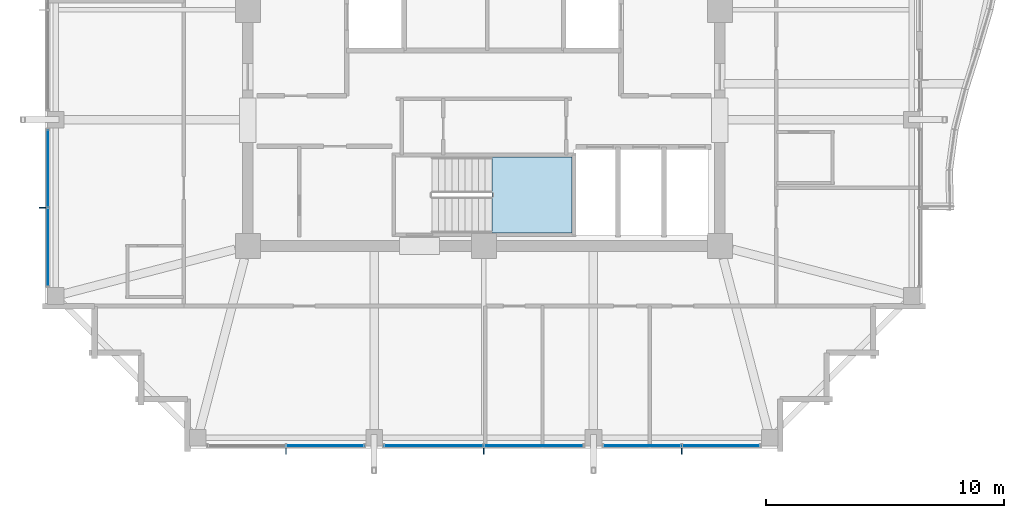
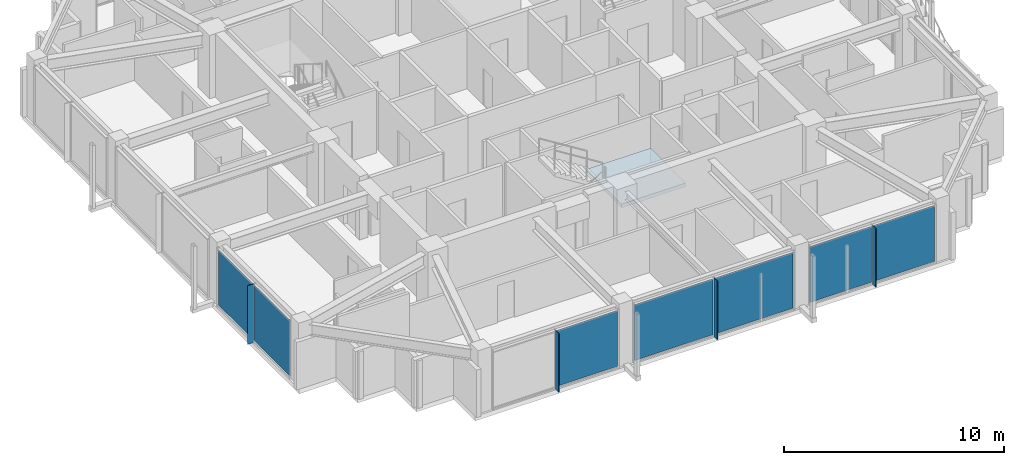
# One storey, part 19 of 29: 11 plates, 1 slab, 5 elements without a shape of their own.
"""IFC4 building model written with IfcOpenShell, lengths in metres."""

from ifc_helpers import new_model, si_unit, direction, frame, origin, origin_2d, place, context, subcontext, project, spatial, polyline, rectangle, outline, extrude, material, layer, layer_set, type_object, element, aggregate, save


model = new_model("IFC4")

# Units and contexts
model_context = context("Model", 3, precision=1e-05, world=origin(), true_north=direction((0.0, 1.0)))
body_context = subcontext(model_context, "Body", "Model", "MODEL_VIEW")
ifc_project = project(units=[si_unit("LENGTHUNIT", "METRE"), si_unit("AREAUNIT", "SQUARE_METRE"), si_unit("VOLUMEUNIT", "CUBIC_METRE"), si_unit("PLANEANGLEUNIT", "RADIAN"), si_unit("MASSUNIT", "GRAM", prefix="KILO")], contexts=[model_context])

# Site, building, storey
site_placement = place(None, origin())
site = spatial("IfcSite", under=ifc_project, at=site_placement, CompositionType="ELEMENT")
building_placement = place(site_placement, origin())
building = spatial("IfcBuilding", under=site, at=building_placement, Name="Kolvaren Belvedere", CompositionType="ELEMENT")
storey_placement = place(building_placement, frame((0.0, 0.0, 244.39990234375)))
storey = spatial("IfcBuildingStorey", under=building, at=storey_placement, Name="L71", CompositionType="ELEMENT", Elevation=244.39990234375)

# Curtain wall, plates
ifc_material_1 = material(Name="Anodised pale-metal aluminium AA 6063-T6", Category="aluminium")
curtain_wall_type = type_object("IfcCurtainWallType", Name="CW-Z5-HIGH", PredefinedType="NOTDEFINED", material=ifc_material_1)
curtain_wall_1_placement = place(storey_placement, origin())
curtain_wall_1 = element("IfcCurtainWall", 1, at=curtain_wall_1_placement, inside=storey, type_object=curtain_wall_type, Name="L71 Unitised Curtain Wall FCW-L71-S-B1", PredefinedType="NOTDEFINED")
ifc_material_2 = material(Name="Low-iron triple insulated glass", Category="glass")
ifc_layer_1 = layer(ifc_material_2, 0.028076171875)
ifc_layer_set_1 = layer_set([ifc_layer_1], Name="Low-iron triple insulated glass")
plate_type_1 = type_object("IfcPlateType", Name="CW-PNL-VIS28", PredefinedType="CURTAIN_PANEL", material=ifc_layer_set_1)
plate_1_placement = place(storey_placement, frame((9.947509765625, -18.280029296875, 0.080078125), z_axis=(0.0, 0.0, 1.0), x_axis=(-1.0, 0.0, 0.0)))
plate_1 = element("IfcPlate", 2, at=plate_1_placement, type_object=plate_type_1, Name="FCW-L71-S-B1 Vision Glazing Panel 1", PredefinedType="CURTAIN_PANEL", context=body_context, shape_type="SweptSolid", body=[
    extrude(rectangle(XDim=3.215087890625, YDim=0.028076171875, at=origin_2d()), origin(), (0.0, 0.0, 1.0), 3.090087890625),
])
plate_2_placement = place(storey_placement, frame((6.652587890625, -18.280029296875, 0.080078125), z_axis=(0.0, 0.0, 1.0), x_axis=(-1.0, 0.0, 0.0)))
plate_2 = element("IfcPlate", 3, at=plate_2_placement, type_object=plate_type_1, Name="FCW-L71-S-B1 Vision Glazing Panel 2", PredefinedType="CURTAIN_PANEL", context=body_context, shape_type="SweptSolid", body=[
    extrude(rectangle(XDim=3.215087890625, YDim=0.028076171875, at=origin_2d()), origin(), (0.0, 0.0, 1.0), 3.090087890625),
])
aggregate(curtain_wall_1, [plate_1, plate_2])

curtain_wall_2_placement = place(storey_placement, origin())
curtain_wall_2 = element("IfcCurtainWall", 4, at=curtain_wall_2_placement, inside=storey, type_object=curtain_wall_type, Name="L71 Unitised Curtain Wall FCW-L71-S-B2", PredefinedType="NOTDEFINED")
plate_3_placement = place(storey_placement, frame((2.097412109375, -18.280029296875, 0.080078125), z_axis=(0.0, 0.0, 1.0), x_axis=(-1.0, 0.0, 0.0)))
plate_3 = element("IfcPlate", 5, at=plate_3_placement, type_object=plate_type_1, Name="FCW-L71-S-B2 Vision Glazing Panel 1", PredefinedType="CURTAIN_PANEL", context=body_context, shape_type="SweptSolid", body=[
    extrude(rectangle(XDim=4.114990234375, YDim=0.028076171875, at=origin_2d()), origin(), (0.0, 0.0, 1.0), 3.090087890625),
])
plate_4_placement = place(storey_placement, frame((-2.097412109375, -18.280029296875, 0.080078125), z_axis=(0.0, 0.0, 1.0), x_axis=(-1.0, 0.0, 0.0)))
plate_4 = element("IfcPlate", 6, at=plate_4_placement, type_object=plate_type_1, Name="FCW-L71-S-B2 Vision Glazing Panel 2", PredefinedType="CURTAIN_PANEL", context=body_context, shape_type="SweptSolid", body=[
    extrude(rectangle(XDim=4.114990234375, YDim=0.028076171875, at=origin_2d()), origin(), (0.0, 0.0, 1.0), 3.090087890625),
])
aggregate(curtain_wall_2, [plate_3, plate_4])

# Curtain wall, plate
curtain_wall_3_placement = place(storey_placement, origin())
curtain_wall_3 = element("IfcCurtainWall", 7, at=curtain_wall_3_placement, inside=storey, type_object=curtain_wall_type, Name="L71 Unitised Curtain Wall FCW-L71-S-B3", PredefinedType="NOTDEFINED")
plate_5_placement = place(storey_placement, frame((-6.652587890625, -18.280029296875, 0.080078125), z_axis=(0.0, 0.0, 1.0), x_axis=(-1.0, 0.0, 0.0)))
plate_5 = element("IfcPlate", 8, at=plate_5_placement, type_object=plate_type_1, Name="FCW-L71-S-B3 Vision Glazing Panel 1", PredefinedType="CURTAIN_PANEL", context=body_context, shape_type="SweptSolid", body=[
    extrude(rectangle(XDim=3.215087890625, YDim=0.028076171875, at=origin_2d()), origin(), (0.0, 0.0, 1.0), 3.090087890625),
])
aggregate(curtain_wall_3, [plate_5])

# Curtain wall, plates
curtain_wall_4_placement = place(storey_placement, origin())
curtain_wall_4 = element("IfcCurtainWall", 9, at=curtain_wall_4_placement, inside=storey, type_object=curtain_wall_type, Name="L71 Unitised Curtain Wall FCW-L71-W-B1", PredefinedType="NOTDEFINED")
plate_6_placement = place(storey_placement, frame((-18.280029296875, -9.947509765625, 0.080078125), z_axis=(0.0, 0.0, 1.0), x_axis=(0.0, 1.0, 0.0)))
plate_6 = element("IfcPlate", 10, at=plate_6_placement, type_object=plate_type_1, Name="FCW-L71-W-B1 Vision Glazing Panel 1", PredefinedType="CURTAIN_PANEL", context=body_context, shape_type="SweptSolid", body=[
    extrude(rectangle(XDim=3.215087890625, YDim=0.028076171875, at=origin_2d()), origin(), (0.0, 0.0, 1.0), 3.090087890625),
])
plate_7_placement = place(storey_placement, frame((-18.280029296875, -6.652587890625, 0.080078125), z_axis=(0.0, 0.0, 1.0), x_axis=(0.0, 1.0, 0.0)))
plate_7 = element("IfcPlate", 11, at=plate_7_placement, type_object=plate_type_1, Name="FCW-L71-W-B1 Vision Glazing Panel 2", PredefinedType="CURTAIN_PANEL", context=body_context, shape_type="SweptSolid", body=[
    extrude(rectangle(XDim=3.215087890625, YDim=0.028076171875, at=origin_2d()), origin(), (0.0, 0.0, 1.0), 3.090087890625),
])
aggregate(curtain_wall_4, [plate_6, plate_7])

# Plates
ifc_material_3 = material(Name="Anodised pale-metal aluminium AA 6063-T6", Category="aluminium")
ifc_layer_2 = layer(ifc_material_3, 0.030029296875)
ifc_layer_set_2 = layer_set([ifc_layer_2], Name="Anodised pale-metal aluminium AA 6063-T6")
plate_type_2 = type_object("IfcPlateType", Name="FIN-VERT-300", PredefinedType="USERDEFINED", material=ifc_layer_set_2)
for number, where, z_axis, x_axis, name in (
    (12, (8.300048828125, -18.489990234375, 0.0), (0.0, 0.0, 1.0), (0.0, 1.0, 0.0), "L71 Pale-Metal Vertical Shading Fin FCW-L71-S-B1-1"),
    (13, (0.0, -18.489990234375, 0.0), (0.0, 0.0, 1.0), (0.0, 1.0, 0.0), "L71 Pale-Metal Vertical Shading Fin FCW-L71-S-B2-1"),
    (14, (-8.300048828125, -18.489990234375, 0.0), (0.0, 0.0, 1.0), (0.0, 1.0, 0.0), "L71 Pale-Metal Vertical Shading Fin FCW-L71-S-B3-1"),
    (15, (-18.489990234375, -8.300048828125, 0.0), (0.0, 0.0, 1.0), (1.0, 0.0, 0.0), "L71 Pale-Metal Vertical Shading Fin FCW-L71-W-B1-1"),
):
    element("IfcPlate", number, at=place(storey_placement, frame(where, z_axis=z_axis, x_axis=x_axis)), inside=storey, type_object=plate_type_2, Name=name, ObjectType="VERTICAL FIN", PredefinedType="USERDEFINED", context=body_context, shape_type="SweptSolid", body=[
        extrude(rectangle(XDim=0.300048828125, YDim=0.030029296875, at=origin_2d()), origin(), (0.0, 0.0, 1.0), 3.25),
    ])

# Stair, slab
ifc_material_4 = material(Name="Concrete C50/60", Category="concrete")
stair_type = type_object("IfcStairType", Name="ST-CORE-1520", PredefinedType="HALF_TURN_STAIR", material=ifc_material_4)
stair_placement = place(storey_placement, origin())
stair = element("IfcStair", 16, at=stair_placement, inside=storey, type_object=stair_type, Name="L71 Protected Exit Stair ST-3", PredefinedType="HALF_TURN_STAIR")
ifc_material_5 = material(Name="Concrete C50/60", Category="concrete")
ifc_layer_3 = layer(ifc_material_5, 0.260009765625)
ifc_layer_set_3 = layer_set([ifc_layer_3], Name="Concrete C50/60")
slab_type = type_object("IfcSlabType", Name="SL-LAND-260", PredefinedType="LANDING", material=ifc_layer_set_3)
slab_placement = place(storey_placement, frame((0.0, 0.0, 1.550048828125)))
slab = element("IfcSlab", 17, at=slab_placement, type_object=slab_type, Name="ST-3 landing 1", PredefinedType="LANDING", context=body_context, shape_type="SweptSolid", body=[
    extrude(outline(polyline([(0.340087890625, -9.35009765625), (3.699951171875, -9.35009765625), (3.699951171875, -6.159912109375), (0.340087890625, -6.159912109375), (0.340087890625, -9.35009765625)])), origin(), (0.0, 0.0, 1.0), 0.199951171875),
])
aggregate(stair, [slab])

save(model, "model.ifc")
